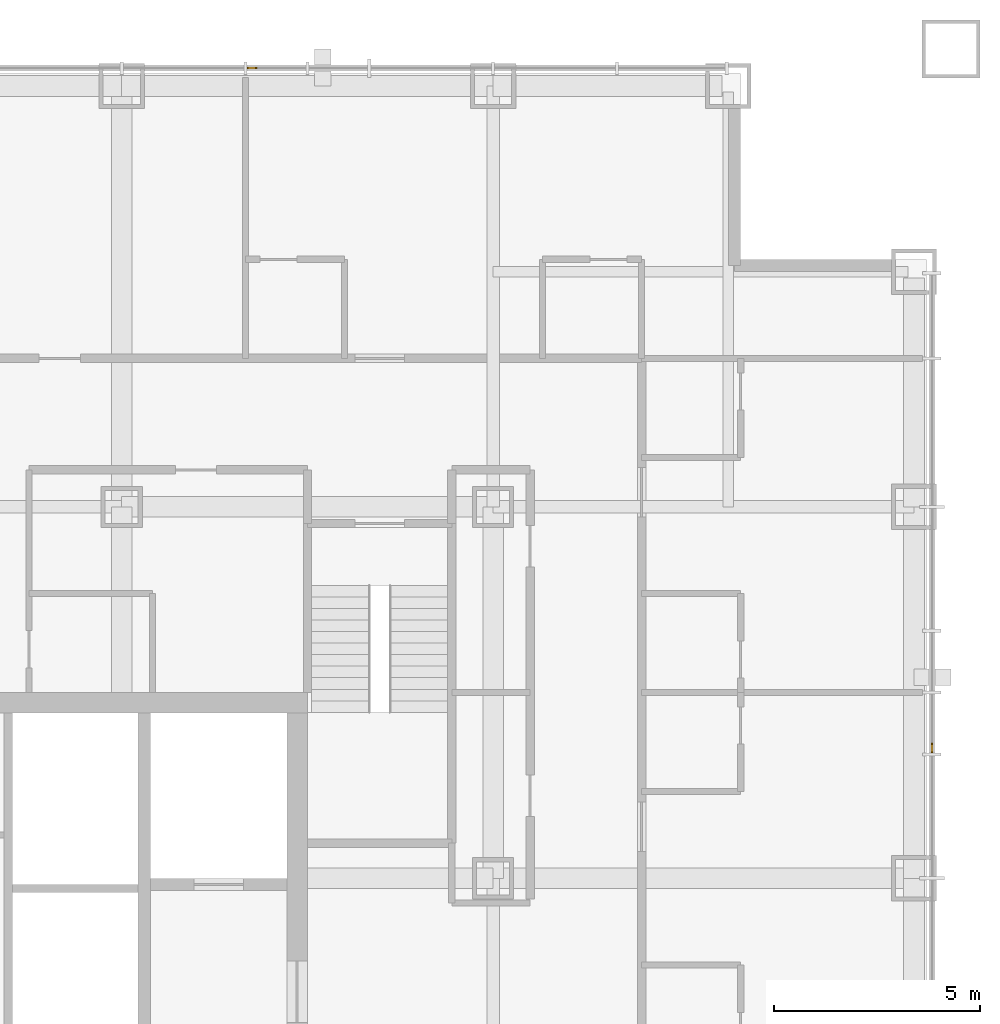
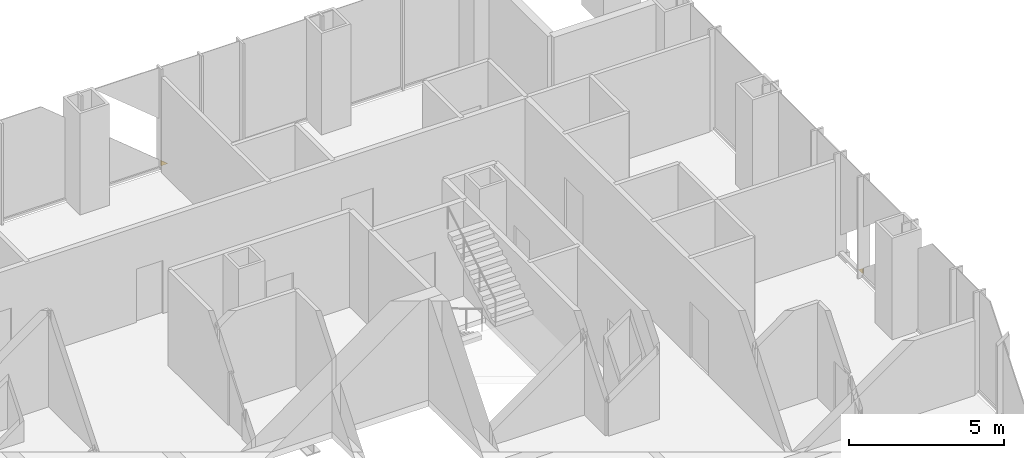
# One storey, part 18 of 18: 2 coverings.
"""IFC4 building model written with IfcOpenShell, lengths in metres."""

from ifc_helpers import new_model, si_unit, direction, frame, origin, place, context, subcontext, project, spatial, polyline, outline, extrude, material, layer, layer_set, type_object, element, save


model = new_model("IFC4")

# Units and contexts
model_context = context("Model", 3, precision=1e-05, world=origin(), true_north=direction((0.0, 1.0)))
body_context = subcontext(model_context, "Body", "Model", "MODEL_VIEW")
ifc_project = project(units=[si_unit("LENGTHUNIT", "METRE"), si_unit("AREAUNIT", "SQUARE_METRE"), si_unit("VOLUMEUNIT", "CUBIC_METRE"), si_unit("PLANEANGLEUNIT", "RADIAN"), si_unit("MASSUNIT", "GRAM", prefix="KILO")], contexts=[model_context])

# Site, building, storey
site_placement = place(None, origin())
site = spatial("IfcSite", under=ifc_project, at=site_placement, CompositionType="ELEMENT")
building_placement = place(site_placement, origin())
building = spatial("IfcBuilding", under=site, at=building_placement, Name="Malebo Sky Hospital", CompositionType="ELEMENT")
storey_placement = place(building_placement, frame((0.0, 0.0, 112.0)))
storey = spatial("IfcBuildingStorey", under=building, at=storey_placement, Name="L26", CompositionType="ELEMENT", Elevation=112.0)

# Coverings
ifc_material = material(Name="Anodised aluminium, natural silver insulated infill panel", Category="aluminium")
ifc_layer = layer(ifc_material, 0.0400390625)
ifc_layer_set = layer_set([ifc_layer], Name="BRACE INFILL PANEL 40")
covering_type = type_object("IfcCoveringType", Name="BRACE INFILL PANEL 40", PredefinedType="CLADDING", material=ifc_layer_set)
covering_1_placement = place(storey_placement, frame((67.66015625, 86.135009765625, 0.10009765625), z_axis=(0.0, 0.0, 1.0), x_axis=(1.0, 0.0, 0.0)))
element("IfcCovering", 1, at=covering_1_placement, inside=storey, type_object=covering_type, Name="Brace infill panel 13.1", PredefinedType="CLADDING", context=body_context, shape_type="SweptSolid", body=[
    extrude(outline(polyline([(-0.122802734375, 0.0), (0.122802734375, 0.0), (-0.122802734375, 0.2021484375), (-0.122802734375, 0.0)])), frame((0.0, 0.02001953125, 0.0), z_axis=(0.0, -1.0, 0.0), x_axis=(1.0, 0.0, 0.0)), (0.0, 0.0, 1.0), 0.0400390625),
])
covering_2_placement = place(storey_placement, frame((84.135009765625, 69.66015625, 0.10009765625), z_axis=(0.0, 0.0, 1.0), x_axis=(0.0, -1.0, 0.0)))
element("IfcCovering", 2, at=covering_2_placement, inside=storey, type_object=covering_type, Name="Brace infill panel 5.1", PredefinedType="CLADDING", context=body_context, shape_type="SweptSolid", body=[
    extrude(outline(polyline([(-0.122802734375, 0.0), (0.122802734375, 0.0), (0.122802734375, 0.2021484375), (-0.122802734375, 0.0)])), frame((0.0, 0.02001953125, 0.0), z_axis=(0.0, -1.0, 0.0), x_axis=(1.0, 0.0, 0.0)), (0.0, 0.0, 1.0), 0.0400390625),
])

save(model, "model.ifc")
